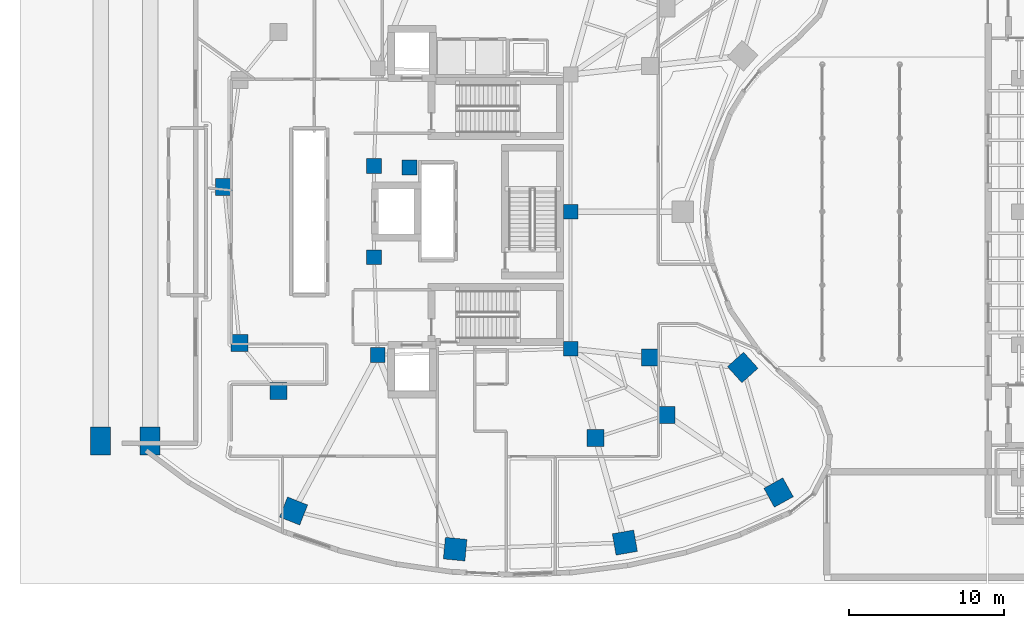
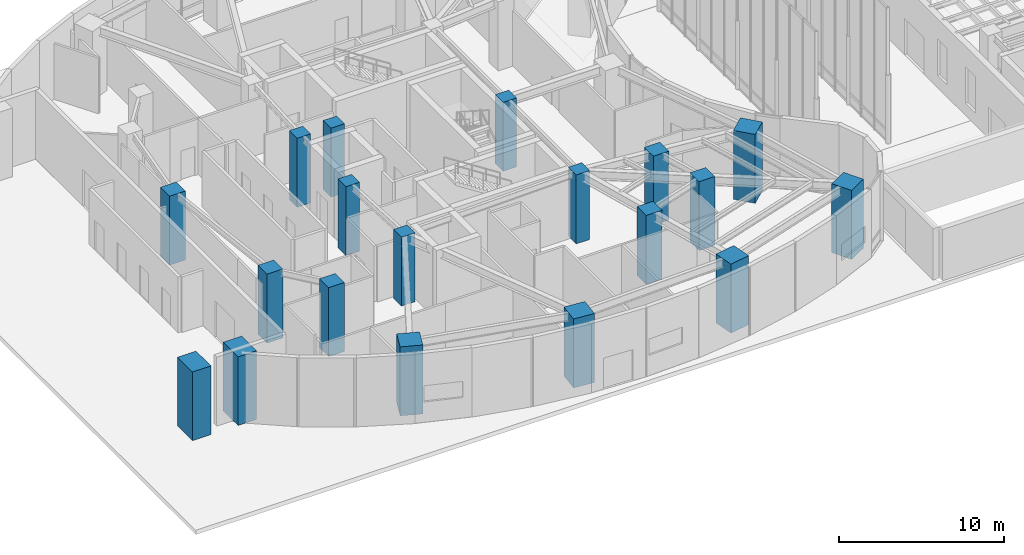
# One storey, part 1 of 28: 19 columns.
"""IFC4 building model written with IfcOpenShell, lengths in metres."""

from ifc_helpers import new_model, si_unit, direction, frame, origin, origin_2d, place, context, subcontext, project, spatial, rectangle, extrude, material, material_profile, profile_set, type_object, element, save


model = new_model("IFC4")

# Units and contexts
model_context = context("Model", 3, precision=1e-05, world=origin(), true_north=direction((0.0, 1.0)))
body_context = subcontext(model_context, "Body", "Model", "MODEL_VIEW")
ifc_project = project(units=[si_unit("LENGTHUNIT", "METRE"), si_unit("AREAUNIT", "SQUARE_METRE"), si_unit("VOLUMEUNIT", "CUBIC_METRE"), si_unit("PLANEANGLEUNIT", "RADIAN"), si_unit("MASSUNIT", "GRAM", prefix="KILO")], contexts=[model_context])

# Site, building, storey
site_placement = place(None, origin())
site = spatial("IfcSite", under=ifc_project, at=site_placement, CompositionType="ELEMENT")
building_placement = place(site_placement, origin())
building = spatial("IfcBuilding", under=site, at=building_placement, Name="Korentha Bioscience Tower", CompositionType="ELEMENT")
storey_placement = place(building_placement, origin())
storey = spatial("IfcBuildingStorey", under=building, at=storey_placement, Name="L00", CompositionType="ELEMENT", Elevation=0.0)

# Columns
ifc_material_1 = material(Name="Concrete C65", Category="concrete")
ifc_material_profile_1 = material_profile(ifc_material_1, rectangle(XDim=0.949951171875, YDim=0.949951171875, at=origin_2d()), Name="Concrete C65")
ifc_profile_set_1 = profile_set([ifc_material_profile_1], Name="Concrete C65 (COL-CP09)")
column_type_1 = type_object("IfcColumnType", Name="Core Pilaster Column RC 950x950", PredefinedType="PILASTER", material=ifc_profile_set_1)
for number, where, z_axis, x_axis, name in (
    (1, (24.85009765625, 29.949951171875, -0.00048828125), (0.0, 0.0, 1.0), (1.0, 0.0, 0.0), "L00 Core Pilaster CP-03"),
    (2, (27.14990234375, 29.85009765625, -0.00048828125), (0.0, 0.0, 1.0), (1.0, 0.0, 0.0), "L00 Core Pilaster CP-04"),
    (3, (24.85009765625, 24.050048828125, -0.00048828125), (0.0, 0.0, 1.0), (1.0, 0.0, 0.0), "L00 Core Pilaster CP-05"),
    (4, (25.10009765625, 17.75, -0.00048828125), (0.0, 0.0, 1.0), (1.0, 0.0, 0.0), "L00 Core Pilaster CP-06"),
    (5, (37.550048828125, 18.14990234375, -0.00048828125), (0.0, 0.0, 1.0), (1.0, 0.0, 0.0), "L00 Core Pilaster CP-07"),
    (6, (37.550048828125, 27.0, -0.00048828125), (0.0, 0.0, 1.0), (1.0, 0.0, 0.0), "L00 Core Pilaster CP-08"),
):
    element("IfcColumn", number, at=place(storey_placement, frame(where, z_axis=z_axis, x_axis=x_axis)), inside=storey, type_object=column_type_1, Name=name, PredefinedType="PILASTER", context=body_context, shape_type="SweptSolid", body=[
        extrude(rectangle(XDim=0.949951171875, YDim=0.949951171875, at=origin_2d()), origin(), (0.0, 0.0, 1.0), 5.10107421875),
    ])
ifc_material_2 = material(Name="Concrete C80", Category="concrete")
ifc_material_profile_2 = material_profile(ifc_material_2, rectangle(XDim=1.10009765625, YDim=1.10009765625, at=origin_2d()), Name="Concrete C80")
ifc_profile_set_2 = profile_set([ifc_material_profile_2], Name="Concrete C80 (COL-MR11)")
column_type_2 = type_object("IfcColumnType", Name="Mid-Ring Lab Column RC 1100x1100", PredefinedType="COLUMN", material=ifc_profile_set_2)
for number, where, z_axis, x_axis, name in (
    (7, (15.1787109375, 28.593505859375, -0.00048828125), (0.0, 0.0, 1.0), (1.0, 0.0, 0.0), "L00 Mid-Ring Column 07"),
    (8, (16.174072265625, 18.510986328125, -0.00048828125), (0.0, 0.0, 1.0), (1.0, 0.0, 0.0), "L00 Mid-Ring Column 08"),
    (9, (18.692138671875, 15.4052734375, -0.00048828125), (0.0, 0.0, 1.0), (1.0, 0.0, 0.0), "L00 Mid-Ring Column 09"),
    (10, (39.1611328125, 12.392333984375, -0.00048828125), (0.0, 0.0, 1.0), (1.0, 0.0, 0.0), "L00 Mid-Ring Column 12"),
    (11, (43.7265625, 13.878662109375, -0.00048828125), (0.0, 0.0, 1.0), (1.0, 0.0, 0.0), "L00 Mid-Ring Column 13"),
    (12, (42.66162109375, 17.593017578125, -0.00048828125), (0.0, 0.0, 1.0), (1.0, 0.0, 0.0), "L00 Mid-Ring Column 14"),
):
    element("IfcColumn", number, at=place(storey_placement, frame(where, z_axis=z_axis, x_axis=x_axis)), inside=storey, type_object=column_type_2, Name=name, PredefinedType="COLUMN", context=body_context, shape_type="SweptSolid", body=[
        extrude(rectangle(XDim=1.10009765625, YDim=1.10009765625, at=origin_2d()), origin(), (0.0, 0.0, 1.0), 5.10107421875),
    ])
ifc_material_profile_3 = material_profile(ifc_material_2, rectangle(XDim=1.300048828125, YDim=1.800048828125, at=origin_2d()), Name="Concrete C80")
ifc_profile_set_3 = profile_set([ifc_material_profile_3], Name="Concrete C80 (AR-C1)")
column_type_3 = type_object("IfcColumnType", Name="Parabolic Arch Springing Column 1800x1300", PredefinedType="PILASTER", material=ifc_profile_set_3)
for number, where, z_axis, x_axis, name in (
    (13, (7.199951171875, 12.199951171875, 0.0), (0.0, 0.0, 1.0), (1.0, 0.0, 0.0), "L00 Parabolic Arch Springing Pier 1-S"),
    (14, (10.39990234375, 12.199951171875, 0.0), (0.0, 0.0, 1.0), (1.0, 0.0, 0.0), "L00 Parabolic Arch Springing Pier 2-S"),
):
    element("IfcColumn", number, at=place(storey_placement, frame(where, z_axis=z_axis, x_axis=x_axis)), inside=storey, type_object=column_type_3, Name=name, PredefinedType="PILASTER", context=body_context, shape_type="SweptSolid", body=[
        extrude(rectangle(XDim=1.300048828125, YDim=1.800048828125, at=origin_2d()), origin(), (0.0, 0.0, 1.0), 5.080078125),
    ])
ifc_material_profile_4 = material_profile(ifc_material_2, rectangle(XDim=1.39990234375, YDim=1.39990234375, at=origin_2d()), Name="Concrete C80")
ifc_profile_set_4 = profile_set([ifc_material_profile_4], Name="Concrete C80 (COL-P14)")
column_type_4 = type_object("IfcColumnType", Name="Perimeter Column RC 1400x1400", PredefinedType="COLUMN", material=ifc_profile_set_4)
for number, where, z_axis, x_axis, name in (
    (15, (19.66650390625, 7.671142578125, -0.00048828125), (0.0, 0.0, 1.0), (-0.930225540858, 0.366988341962, 0.0), "L00 Perimeter Column 10"),
    (16, (30.09423828125, 5.20751953125, -0.00048828125), (0.0, 0.0, 1.0), (-0.995462868748, 0.095150811579, 0.0), "L00 Perimeter Column 11"),
    (17, (41.052490234375, 5.63330078125, -0.00048828125), (0.0, 0.0, 1.0), (0.984868307662, 0.173304404339, 0.0), "L00 Perimeter Column 12"),
    (18, (50.977294921875, 8.864501953125, -0.00048828125), (0.0, 0.0, 1.0), (0.874535078577, 0.484962262797, 0.0), "L00 Perimeter Column 13"),
    (19, (48.661865234375, 16.939208984375, -0.00048828125), (0.0, 0.0, 1.0), (-0.669130606359, 0.743144825477, 0.0), "L00 Perimeter Column 14"),
):
    element("IfcColumn", number, at=place(storey_placement, frame(where, z_axis=z_axis, x_axis=x_axis)), inside=storey, type_object=column_type_4, Name=name, PredefinedType="COLUMN", context=body_context, shape_type="SweptSolid", body=[
        extrude(rectangle(XDim=1.39990234375, YDim=1.39990234375, at=origin_2d()), origin(), (0.0, 0.0, 1.0), 5.10107421875),
    ])

save(model, "model.ifc")
